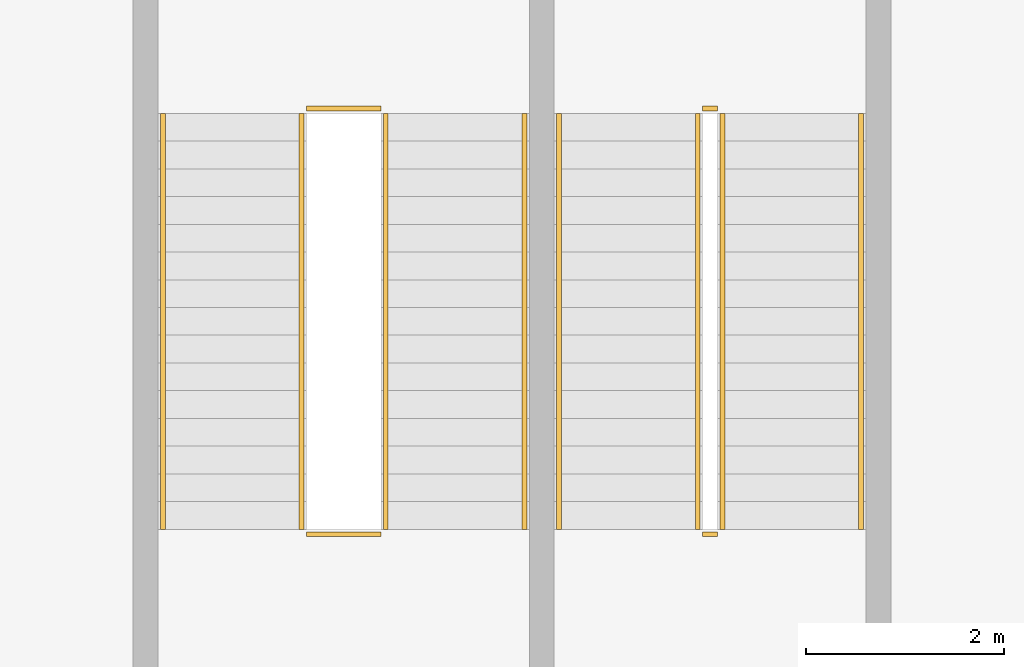
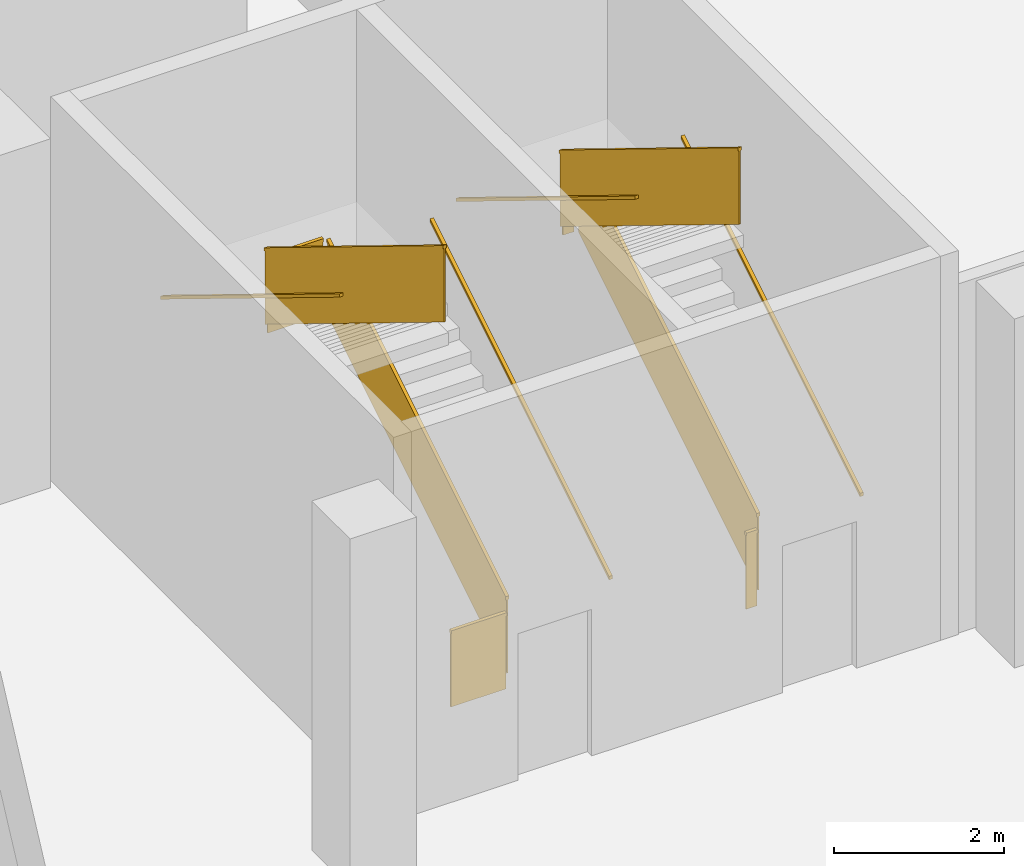
# One storey, part 21 of 23: 12 railings.
"""IFC4 building model written with IfcOpenShell, lengths in metres."""

import ifcopenshell
import ifcopenshell.guid

model = None  # the IFC model being written
_history = None  # IfcOwnerHistory: only IFC2X3 demands one
_inside = {}  # id of a spatial element -> (the spatial element, [elements in it])
_under = {}  # id of a project, library or spatial element -> (it, [spatial elements below it])
_declared = {}  # id of a project -> (the project, [libraries it declares])
_typed = {}  # id of a type object -> (the type object, [elements of that type])
_made_of = {}  # id of a material, layer set ... -> (it, [elements and type objects made of it])


def new_model(schema):
    """Start an empty IFC model of exactly this schema.

    Asked for "IFC4X3", IfcOpenShell would pick the latest addendum, in which some entities
    have other attributes; the version numbers below select the first issue.
    IFC2X3 requires an IfcOwnerHistory on every rooted entity: one is made here for all.
    """
    global model, _history
    if schema == "IFC4X3":
        model = ifcopenshell.file(schema_version=(4, 3, 0, 0))
    else:
        model = ifcopenshell.file(schema=schema)
    _inside.clear()
    _under.clear()
    _declared.clear()
    _typed.clear()
    _made_of.clear()
    _history = None
    if model.schema == "IFC2X3":
        org = make("IfcOrganization", Name="unknown")
        user = make(
            "IfcPersonAndOrganization",
            ThePerson=make("IfcPerson", FamilyName="unknown"),
            TheOrganization=org,
        )
        app = make(
            "IfcApplication",
            ApplicationDeveloper=org,
            Version="unknown",
            ApplicationFullName="unknown",
            ApplicationIdentifier="unknown",
        )
        _history = make(
            "IfcOwnerHistory",
            OwningUser=user,
            OwningApplication=app,
            ChangeAction="ADDED",
            CreationDate=0,
        )
    return model


def make(cls, **values):
    """One entity of the class cls with the attributes given. An attribute that is None is left unset."""
    return model.create_entity(
        cls, **{name: value for name, value in values.items() if value is not None}
    )


def rooted(cls, **values):
    """An entity with a GlobalId (a new one), such as an element, a storey or a relation."""
    return make(cls, GlobalId=ifcopenshell.guid.new(), OwnerHistory=_history, **values)


def si_unit(unit_type, name, prefix=None):
    """IfcSIUnit, for example si_unit("LENGTHUNIT", "METRE", prefix="MILLI")."""
    return make("IfcSIUnit", UnitType=unit_type, Prefix=prefix, Name=name)


def assignment(units):
    """IfcUnitAssignment: the units of a project."""
    return None if units is None else make("IfcUnitAssignment", Units=units)


def point(xyz):
    """IfcCartesianPoint."""
    return None if xyz is None else make("IfcCartesianPoint", Coordinates=xyz)


def direction(xyz):
    """IfcDirection."""
    return None if xyz is None else make("IfcDirection", DirectionRatios=xyz)


def frame(location, z_axis=None, x_axis=None):
    """IfcAxis2Placement3D, a coordinate frame: its origin and axes. An axis left out is left unset."""
    return make(
        "IfcAxis2Placement3D",
        Location=point(location),
        Axis=direction(z_axis),
        RefDirection=direction(x_axis),
    )


def frame_2d(location, x_axis=None):
    """IfcAxis2Placement2D, a coordinate frame in the plane: its origin and x axis."""
    return make(
        "IfcAxis2Placement2D", Location=point(location), RefDirection=direction(x_axis)
    )


def origin():
    """The frame at (0, 0, 0) with its axes left unset."""
    return frame((0.0, 0.0, 0.0))


def origin_2d():
    """The frame at (0, 0) in the plane with its x axis left unset."""
    return frame_2d((0.0, 0.0))


def place(relative_to, where):
    """IfcLocalPlacement: puts the frame where relative to a parent placement (None: the world)."""
    return make(
        "IfcLocalPlacement", PlacementRelTo=relative_to, RelativePlacement=where
    )


def context(
    kind, dimensions, precision=None, world=None, true_north=None, identifier=None
):
    """IfcGeometricRepresentationContext, for example the 3D "Model" context."""
    return make(
        "IfcGeometricRepresentationContext",
        ContextIdentifier=identifier,
        ContextType=kind,
        CoordinateSpaceDimension=dimensions,
        Precision=precision,
        WorldCoordinateSystem=world,
        TrueNorth=true_north,
    )


def subcontext(parent, identifier, kind, view, scale=None):
    """IfcGeometricRepresentationSubContext, for example "Body" below "Model"."""
    return make(
        "IfcGeometricRepresentationSubContext",
        ContextIdentifier=identifier,
        ContextType=kind,
        ParentContext=parent,
        TargetScale=scale,
        TargetView=view,
    )


def project(units=None, contexts=None):
    """IfcProject with its units and contexts."""
    return rooted(
        "IfcProject",
        Name="project",
        RepresentationContexts=contexts,
        UnitsInContext=assignment(units),
    )


def spatial(cls, under=None, at=None, **own):
    """A site, building, storey or space (cls), placed at a placement, below another one or the project."""
    s = rooted(cls, ObjectPlacement=at, **own)
    if under is not None:
        _under.setdefault(under.id(), (under, []))[1].append(s)
    return s


def profile(cls, at=None, kind="AREA", **sizes):
    """A parametric profile (cls). Its sizes go by their IFC names, for example OverallWidth=200.0."""
    return make(cls, ProfileType=kind, Position=at, **sizes)


def rectangle(**sizes):
    """IfcRectangleProfileDef."""
    return profile("IfcRectangleProfileDef", **sizes)


def extrude(swept, where, along, depth):
    """IfcExtrudedAreaSolid: the profile swept, set in the frame where, extruded along a direction by depth."""
    return make(
        "IfcExtrudedAreaSolid",
        SweptArea=swept,
        Position=where,
        ExtrudedDirection=direction(along),
        Depth=depth,
    )


def shape(context_of_items, identifier, shape_type, items):
    """IfcShapeRepresentation: the items that make up one representation, for example the "Body"."""
    return make(
        "IfcShapeRepresentation",
        ContextOfItems=context_of_items,
        RepresentationIdentifier=identifier,
        RepresentationType=shape_type,
        Items=items,
    )


def material(Name=None, Category=None):
    """IfcMaterial."""
    return make("IfcMaterial", Name=Name, Category=Category)


def made_of(thing, what):
    """Note that an element or type object is made of a material, layer set ...; save() writes the relation."""
    if what is not None:
        _made_of.setdefault(what.id(), (what, []))[1].append(thing)
    return thing


def type_object(cls, material=None, **own):
    """A type object (cls), such as IfcWallType, which elements share."""
    return made_of(rooted(cls, **own), material)


def element(
    cls,
    number,
    at=None,
    inside=None,
    cuts=None,
    type_object=None,
    material=None,
    context=None,
    identifier="Body",
    shape_type=None,
    held_by="IfcProductDefinitionShape",
    body=None,
    shapes=None,
    **own,
):
    """One element of the class cls, such as IfcWall. Its Tag is "e" and its number.

    at: its placement. inside: the storey or other place that contains it. cuts: it is an
    opening in that element (IfcRelVoidsElement). A single representation is given by context,
    identifier, shape_type and body (its items); several are given by shapes. held_by: the class
    of the entity that holds the representations. save() writes the other relations.
    """
    e = rooted(cls, Tag="e%d" % number, ObjectPlacement=at, **own)
    if body is not None:
        shapes = [shape(context, identifier, shape_type, body)]
    if shapes is not None:
        e.Representation = make(held_by, Representations=shapes)
    if inside is not None:
        _inside.setdefault(inside.id(), (inside, []))[1].append(e)
    if cuts is not None:
        rooted(
            "IfcRelVoidsElement", RelatingBuildingElement=cuts, RelatedOpeningElement=e
        )
    if type_object is not None:
        _typed.setdefault(type_object.id(), (type_object, []))[1].append(e)
    return made_of(e, material)


def aggregate(whole, parts):
    """IfcRelAggregates: a whole, such as a stair, and the parts it consists of."""
    return rooted("IfcRelAggregates", RelatingObject=whole, RelatedObjects=parts)


def save(model, path):
    """Write the relations noted so far, then the file.

    IfcRelAggregates (storeys below a building ...), IfcRelContainedInSpatialStructure (elements
    in a storey), IfcRelDefinesByType, IfcRelAssociatesMaterial and IfcRelDeclares: one each for
    every whole, place, type object, material and project.
    """
    for whole, parts in _under.values():
        aggregate(whole, parts)
    for where, things in _inside.values():
        rooted(
            "IfcRelContainedInSpatialStructure",
            RelatedElements=things,
            RelatingStructure=where,
        )
    for kind, things in _typed.values():
        rooted("IfcRelDefinesByType", RelatedObjects=things, RelatingType=kind)
    for what, things in _made_of.values():
        rooted("IfcRelAssociatesMaterial", RelatedObjects=things, RelatingMaterial=what)
    for by, libraries in _declared.values():
        rooted("IfcRelDeclares", RelatingContext=by, RelatedDefinitions=libraries)
    model.write(path)


model = new_model("IFC4")

# Units and contexts
model_context = context("Model", 3, precision=1e-05, world=origin(), true_north=direction((0.0, 1.0)))
body_context = subcontext(model_context, "Body", "Model", "MODEL_VIEW")
ifc_project = project(units=[si_unit("LENGTHUNIT", "METRE"), si_unit("AREAUNIT", "SQUARE_METRE"), si_unit("VOLUMEUNIT", "CUBIC_METRE"), si_unit("PLANEANGLEUNIT", "RADIAN"), si_unit("MASSUNIT", "GRAM", prefix="KILO")], contexts=[model_context])

# Site, building, storey
site_placement = place(None, origin())
site = spatial("IfcSite", under=ifc_project, at=site_placement, CompositionType="ELEMENT")
building_placement = place(site_placement, origin())
building = spatial("IfcBuilding", under=site, at=building_placement, Name="Mirante Cascada Hotel Towers", CompositionType="ELEMENT")
storey_placement = place(building_placement, frame((0.0, 0.0, 29.0)))
storey = spatial("IfcBuildingStorey", under=building, at=storey_placement, Name="L04", CompositionType="ELEMENT", Elevation=29.0)

# Railings
ifc_material_1 = material(Name="Painted steel", Category="steel")
railing_type_1 = type_object("IfcRailingType", Name="Podium stair guard 1100 steel balustrade", PredefinedType="GUARDRAIL", material=ifc_material_1)
railing_1_placement = place(storey_placement, frame((-20.375, -15.775, 0.1719)))
element("IfcRailing", 1, at=railing_1_placement, inside=storey, type_object=railing_type_1, Name="L04 PS1 stair guard 1", PredefinedType="GUARDRAIL", context=body_context, shape_type="SweptSolid", body=[
    extrude(rectangle(XDim=0.048, YDim=0.048, at=origin_2d()), frame((0.0, 0.0, 1.076), z_axis=(0.0, 1.0, 0.0), x_axis=(-1.0, 0.0, 0.0)), (0.0, 0.5231382, 0.8522479), 4.9281),
    extrude(rectangle(XDim=0.02, YDim=1.052, at=origin_2d()), frame((0.0, 0.0, 0.526), z_axis=(0.0, 1.0, 0.0), x_axis=(-1.0, 0.0, 0.0)), (0.0, 0.5231382, 0.8522479), 4.9281),
])
railing_2_placement = place(storey_placement, frame((-20.425, -11.525, 2.75)))
element("IfcRailing", 2, at=railing_2_placement, inside=storey, type_object=railing_type_1, Name="L04 PS1 stair guard 2", PredefinedType="GUARDRAIL", context=body_context, shape_type="SweptSolid", body=[
    extrude(rectangle(XDim=0.048, YDim=0.048, at=origin_2d()), frame((0.0, 0.0, 1.076), z_axis=(-1.0, 0.0, 0.0), x_axis=(0.0, -1.0, 0.0)), (0.0, 0.0, 1.0), 0.15),
    extrude(rectangle(XDim=0.02, YDim=1.052, at=origin_2d()), frame((0.0, 0.0, 0.526), z_axis=(-1.0, 0.0, 0.0), x_axis=(0.0, -1.0, 0.0)), (0.0, 0.0, 1.0), 0.15),
])
railing_3_placement = place(storey_placement, frame((-20.625, -11.575, 2.9219)))
element("IfcRailing", 3, at=railing_3_placement, inside=storey, type_object=railing_type_1, Name="L04 PS1 stair guard 3", PredefinedType="GUARDRAIL", context=body_context, shape_type="SweptSolid", body=[
    extrude(rectangle(XDim=0.048, YDim=0.048, at=origin_2d()), frame((0.0, 0.0, 1.076), z_axis=(0.0, -1.0, 0.0), x_axis=(1.0, 0.0, 0.0)), (0.0, 0.5231382, 0.8522479), 4.9281),
    extrude(rectangle(XDim=0.02, YDim=1.052, at=origin_2d()), frame((0.0, 0.0, 0.526), z_axis=(0.0, -1.0, 0.0), x_axis=(1.0, 0.0, 0.0)), (0.0, 0.5231382, 0.8522479), 4.9281),
])
railing_4_placement = place(storey_placement, frame((-20.425, -15.825, 0.0)))
element("IfcRailing", 4, at=railing_4_placement, inside=storey, type_object=railing_type_1, Name="L04 PS1 stair guard 4", PredefinedType="GUARDRAIL", context=body_context, shape_type="SweptSolid", body=[
    extrude(rectangle(XDim=0.048, YDim=0.048, at=origin_2d()), frame((0.0, 0.0, 1.076), z_axis=(-1.0, 0.0, 0.0), x_axis=(0.0, -1.0, 0.0)), (0.0, 0.0, 1.0), 0.15),
    extrude(rectangle(XDim=0.02, YDim=1.052, at=origin_2d()), frame((0.0, 0.0, 0.526), z_axis=(-1.0, 0.0, 0.0), x_axis=(0.0, -1.0, 0.0)), (0.0, 0.0, 1.0), 0.15),
])
railing_5_placement = place(storey_placement, frame((-23.775, -15.775, 0.1719)))
element("IfcRailing", 5, at=railing_5_placement, inside=storey, type_object=railing_type_1, Name="L04 PS3 stair guard 1", PredefinedType="GUARDRAIL", context=body_context, shape_type="SweptSolid", body=[
    extrude(rectangle(XDim=0.048, YDim=0.048, at=origin_2d()), frame((0.0, 0.0, 1.076), z_axis=(0.0, 1.0, 0.0), x_axis=(-1.0, 0.0, 0.0)), (0.0, 0.5231382, 0.8522479), 4.9281),
    extrude(rectangle(XDim=0.02, YDim=1.052, at=origin_2d()), frame((0.0, 0.0, 0.526), z_axis=(0.0, 1.0, 0.0), x_axis=(-1.0, 0.0, 0.0)), (0.0, 0.5231382, 0.8522479), 4.9281),
])
railing_6_placement = place(storey_placement, frame((-23.825, -11.525, 2.75)))
element("IfcRailing", 6, at=railing_6_placement, inside=storey, type_object=railing_type_1, Name="L04 PS3 stair guard 2", PredefinedType="GUARDRAIL", context=body_context, shape_type="SweptSolid", body=[
    extrude(rectangle(XDim=0.048, YDim=0.048, at=origin_2d()), frame((0.0, 0.0, 1.076), z_axis=(-1.0, 0.0, 0.0), x_axis=(0.0, -1.0, 0.0)), (0.0, 0.0, 1.0), 0.75),
    extrude(rectangle(XDim=0.02, YDim=1.052, at=origin_2d()), frame((0.0, 0.0, 0.526), z_axis=(-1.0, 0.0, 0.0), x_axis=(0.0, -1.0, 0.0)), (0.0, 0.0, 1.0), 0.75),
])
railing_7_placement = place(storey_placement, frame((-24.625, -11.575, 2.9219)))
element("IfcRailing", 7, at=railing_7_placement, inside=storey, type_object=railing_type_1, Name="L04 PS3 stair guard 3", PredefinedType="GUARDRAIL", context=body_context, shape_type="SweptSolid", body=[
    extrude(rectangle(XDim=0.048, YDim=0.048, at=origin_2d()), frame((0.0, 0.0, 1.076), z_axis=(0.0, -1.0, 0.0), x_axis=(1.0, 0.0, 0.0)), (0.0, 0.5231382, 0.8522479), 4.9281),
    extrude(rectangle(XDim=0.02, YDim=1.052, at=origin_2d()), frame((0.0, 0.0, 0.526), z_axis=(0.0, -1.0, 0.0), x_axis=(1.0, 0.0, 0.0)), (0.0, 0.5231382, 0.8522479), 4.9281),
])
railing_8_placement = place(storey_placement, frame((-23.825, -15.825, 0.0)))
element("IfcRailing", 8, at=railing_8_placement, inside=storey, type_object=railing_type_1, Name="L04 PS3 stair guard 4", PredefinedType="GUARDRAIL", context=body_context, shape_type="SweptSolid", body=[
    extrude(rectangle(XDim=0.048, YDim=0.048, at=origin_2d()), frame((0.0, 0.0, 1.076), z_axis=(-1.0, 0.0, 0.0), x_axis=(0.0, -1.0, 0.0)), (0.0, 0.0, 1.0), 0.75),
    extrude(rectangle(XDim=0.02, YDim=1.052, at=origin_2d()), frame((0.0, 0.0, 0.526), z_axis=(-1.0, 0.0, 0.0), x_axis=(0.0, -1.0, 0.0)), (0.0, 0.0, 1.0), 0.75),
])
ifc_material_2 = material(Name="Painted steel", Category="steel")
railing_type_2 = type_object("IfcRailingType", Name="Podium stair handrail 900 steel tube", PredefinedType="HANDRAIL", material=ifc_material_2)
railing_9_placement = place(storey_placement, frame((-18.975, -15.775, 0.1719)))
element("IfcRailing", 9, at=railing_9_placement, inside=storey, type_object=railing_type_2, Name="L04 PS1 stair handrail 1", PredefinedType="HANDRAIL", context=body_context, shape_type="SweptSolid", body=[
    extrude(rectangle(XDim=0.048, YDim=0.048, at=origin_2d()), frame((0.0, 0.0, 0.876), z_axis=(0.0, 1.0, 0.0), x_axis=(-1.0, 0.0, 0.0)), (0.0, 0.5231382, 0.8522479), 4.9281),
])
railing_10_placement = place(storey_placement, frame((-22.025, -11.575, 2.9219)))
element("IfcRailing", 10, at=railing_10_placement, inside=storey, type_object=railing_type_2, Name="L04 PS1 stair handrail 2", PredefinedType="HANDRAIL", context=body_context, shape_type="SweptSolid", body=[
    extrude(rectangle(XDim=0.048, YDim=0.048, at=origin_2d()), frame((0.0, 0.0, 0.876), z_axis=(0.0, -1.0, 0.0), x_axis=(1.0, 0.0, 0.0)), (0.0, 0.5231382, 0.8522479), 4.9281),
])
railing_11_placement = place(storey_placement, frame((-22.375, -15.775, 0.1719)))
element("IfcRailing", 11, at=railing_11_placement, inside=storey, type_object=railing_type_2, Name="L04 PS3 stair handrail 1", PredefinedType="HANDRAIL", context=body_context, shape_type="SweptSolid", body=[
    extrude(rectangle(XDim=0.048, YDim=0.048, at=origin_2d()), frame((0.0, 0.0, 0.876), z_axis=(0.0, 1.0, 0.0), x_axis=(-1.0, 0.0, 0.0)), (0.0, 0.5231382, 0.8522479), 4.9281),
])
railing_12_placement = place(storey_placement, frame((-26.025, -11.575, 2.9219)))
element("IfcRailing", 12, at=railing_12_placement, inside=storey, type_object=railing_type_2, Name="L04 PS3 stair handrail 2", PredefinedType="HANDRAIL", context=body_context, shape_type="SweptSolid", body=[
    extrude(rectangle(XDim=0.048, YDim=0.048, at=origin_2d()), frame((0.0, 0.0, 0.876), z_axis=(0.0, -1.0, 0.0), x_axis=(1.0, 0.0, 0.0)), (0.0, 0.5231382, 0.8522479), 4.9281),
])

save(model, "model.ifc")
